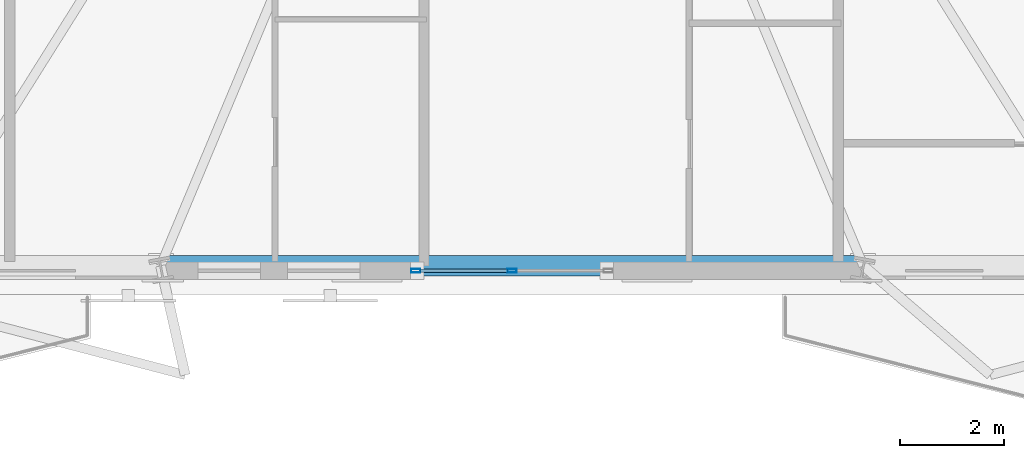
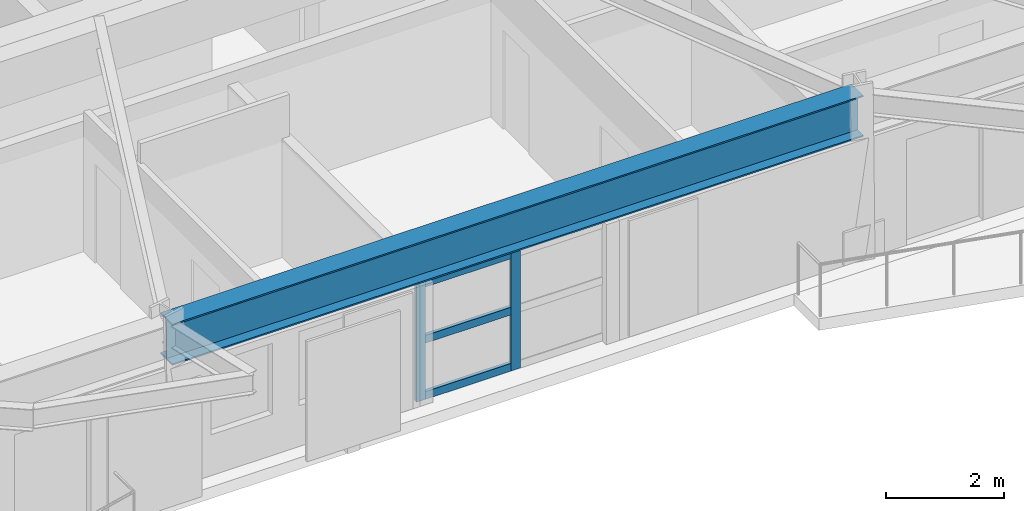
# One storey, part 2 of 17: 5 members, 1 beam, 1 element without a shape of its own.
"""IFC4 building model written with IfcOpenShell, lengths in metres."""

from ifc_helpers import new_model, si_unit, direction, frame, origin, origin_2d, place, context, subcontext, project, spatial, hollow_rectangle, i_section, extrude, material, layer, layer_set, material_profile, profile_set, type_object, element, aggregate, save


model = new_model("IFC4")

# Units and contexts
model_context = context("Model", 3, precision=1e-05, world=origin(), true_north=direction((0.0, 1.0)))
body_context = subcontext(model_context, "Body", "Model", "MODEL_VIEW")
ifc_project = project(units=[si_unit("LENGTHUNIT", "METRE"), si_unit("AREAUNIT", "SQUARE_METRE"), si_unit("VOLUMEUNIT", "CUBIC_METRE"), si_unit("PLANEANGLEUNIT", "RADIAN"), si_unit("MASSUNIT", "GRAM", prefix="KILO")], contexts=[model_context])

# Site, building, storey
site_placement = place(None, origin())
site = spatial("IfcSite", under=ifc_project, at=site_placement, CompositionType="ELEMENT")
building_placement = place(site_placement, origin())
building = spatial("IfcBuilding", under=site, at=building_placement, Name="Oramaril Tower", CompositionType="ELEMENT")
storey_placement = place(building_placement, frame((0.0, 0.0, 70.5)))
storey = spatial("IfcBuildingStorey", under=building, at=storey_placement, Name="L18", CompositionType="ELEMENT", Elevation=70.5)

# Beam
ifc_material_1 = material(Name="Steel ASTM A572 Gr 50", Category="steel")
ifc_material_profile_1 = material_profile(ifc_material_1, i_section(OverallWidth=0.40087890625, OverallDepth=0.85595703125, WebThickness=0.018310546875, FlangeThickness=0.029296875, at=origin_2d()), Name="W33X201")
ifc_profile_set_1 = profile_set([ifc_material_profile_1], Name="Steel ASTM A572 Gr 50")
beam_type = type_object("IfcBeamType", Name="BT-SP1", PredefinedType="SPANDREL", material=ifc_profile_set_1)
beam_placement = place(storey_placement, frame((30.71240234375, 2.654296875, 2.931884765625), z_axis=(1.0, 0.0, 0.0), x_axis=(0.0, 1.0, 0.0)))
element("IfcBeam", 1, at=beam_placement, inside=storey, type_object=beam_type, Name="L18 Perimeter Spandrel 04", PredefinedType="SPANDREL", context=body_context, shape_type="SweptSolid", body=[
    extrude(i_section(OverallWidth=0.40087890625, OverallDepth=0.85595703125, WebThickness=0.018310546875, FlangeThickness=0.029296875, at=origin_2d()), origin(), (0.0, 0.0, 1.0), 13.5751953125),
])

# Curtain wall, members
ifc_material_2 = material(Name="Anodised Aluminium 6063-T6", Category="aluminium")
ifc_layer = layer(ifc_material_2, 0.179931640625)
ifc_layer_set = layer_set([ifc_layer], Name="CWT-SYS3")
curtain_wall_type = type_object("IfcCurtainWallType", Name="CWT-SYS3", PredefinedType="NOTDEFINED", material=ifc_layer_set)
curtain_wall_placement = place(storey_placement, origin())
curtain_wall = element("IfcCurtainWall", 2, at=curtain_wall_placement, inside=storey, type_object=curtain_wall_type, Name="L18 Unitised Curtain Wall CW-3", PredefinedType="NOTDEFINED")
ifc_material_3 = material(Name="Anodised Aluminium 6063-T6", Category="aluminium")
ifc_material_profile_2 = material_profile(ifc_material_3, hollow_rectangle(XDim=0.070068359375, YDim=0.179931640625, WallThickness=0.00390625, at=origin_2d()), Name="CWM180X70")
ifc_profile_set_2 = profile_set([ifc_material_profile_2], Name="Anodised Aluminium 6063-T6")
member_type_1 = type_object("IfcMemberType", Name="MT-CWM2", PredefinedType="MULLION", material=ifc_profile_set_2)
member_1_placement = place(storey_placement, frame((35.639892578125, 2.560546875, 0.0), z_axis=(0.0, 0.0, 1.0), x_axis=(0.0, 1.0, 0.0)))
member_1 = element("IfcMember", 3, at=member_1_placement, type_object=member_type_1, Name="CW-3 mullion 1", PredefinedType="MULLION", context=body_context, shape_type="SweptSolid", body=[
    extrude(hollow_rectangle(XDim=0.070068359375, YDim=0.179931640625, WallThickness=0.00390625, at=origin_2d()), origin(), (0.0, 0.0, 1.0), 2.493896484375),
])
member_2_placement = place(storey_placement, frame((37.5, 2.560546875, 0.0), z_axis=(0.0, 0.0, 1.0), x_axis=(0.0, 1.0, 0.0)))
member_2 = element("IfcMember", 4, at=member_2_placement, type_object=member_type_1, Name="CW-3 mullion 2", PredefinedType="MULLION", context=body_context, shape_type="SweptSolid", body=[
    extrude(hollow_rectangle(XDim=0.070068359375, YDim=0.179931640625, WallThickness=0.00390625, at=origin_2d()), origin(), (0.0, 0.0, 1.0), 2.493896484375),
])
ifc_material_4 = material(Name="Anodised Aluminium 6063-T6", Category="aluminium")
ifc_material_profile_3 = material_profile(ifc_material_4, hollow_rectangle(XDim=0.070068359375, YDim=0.159912109375, WallThickness=0.00390625, at=origin_2d()), Name="CWT160X70")
ifc_profile_set_3 = profile_set([ifc_material_profile_3], Name="Anodised Aluminium 6063-T6")
member_type_2 = type_object("IfcMemberType", Name="MT-CWT1", PredefinedType="USERDEFINED", material=ifc_profile_set_3)
member_3_placement = place(storey_placement, frame((35.72998046875, 2.560546875, 0.080078125), z_axis=(1.0, 0.0, 0.0), x_axis=(0.0, 1.0, 0.0)))
member_3 = element("IfcMember", 5, at=member_3_placement, type_object=member_type_2, Name="CW-3 transom 1.1", ObjectType="TRANSOM", PredefinedType="USERDEFINED", context=body_context, shape_type="SweptSolid", body=[
    extrude(hollow_rectangle(XDim=0.070068359375, YDim=0.159912109375, WallThickness=0.00390625, at=origin_2d()), origin(), (0.0, 0.0, 1.0), 1.679931640625),
])
member_4_placement = place(storey_placement, frame((35.72998046875, 2.560546875, 1.2470703125), z_axis=(1.0, 0.0, 0.0), x_axis=(0.0, 1.0, 0.0)))
member_4 = element("IfcMember", 6, at=member_4_placement, type_object=member_type_2, Name="CW-3 transom 1.2", ObjectType="TRANSOM", PredefinedType="USERDEFINED", context=body_context, shape_type="SweptSolid", body=[
    extrude(hollow_rectangle(XDim=0.070068359375, YDim=0.159912109375, WallThickness=0.00390625, at=origin_2d()), origin(), (0.0, 0.0, 1.0), 1.679931640625),
])
member_5_placement = place(storey_placement, frame((35.72998046875, 2.560546875, 2.4140625), z_axis=(1.0, 0.0, 0.0), x_axis=(0.0, 1.0, 0.0)))
member_5 = element("IfcMember", 7, at=member_5_placement, type_object=member_type_2, Name="CW-3 transom 1.3", ObjectType="TRANSOM", PredefinedType="USERDEFINED", context=body_context, shape_type="SweptSolid", body=[
    extrude(hollow_rectangle(XDim=0.070068359375, YDim=0.159912109375, WallThickness=0.00390625, at=origin_2d()), origin(), (0.0, 0.0, 1.0), 1.679931640625),
])
aggregate(curtain_wall, [member_1, member_2, member_3, member_4, member_5])

save(model, "model.ifc")
